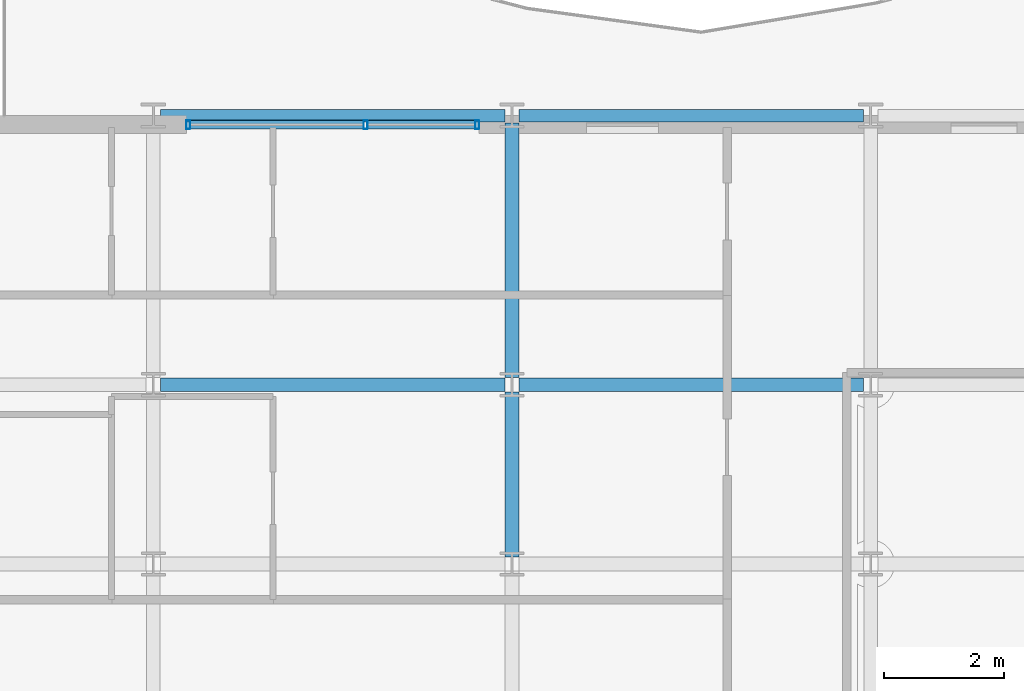
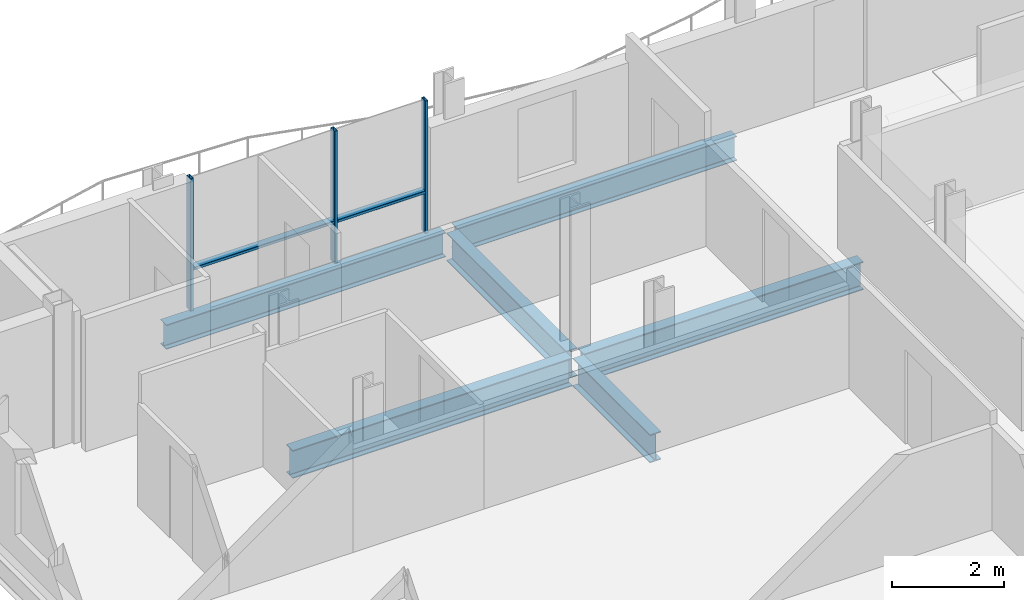
# One storey, part 9 of 40: 6 beams, 5 members, 1 element without a shape of its own.
"""IFC4 building model written with IfcOpenShell, lengths in metres."""

from ifc_helpers import new_model, si_unit, direction, frame, origin, origin_2d, place, context, subcontext, project, spatial, hollow_rectangle, i_section, extrude, material, layer, layer_set, material_profile, profile_set, type_object, element, aggregate, save


model = new_model("IFC4")

# Units and contexts
model_context = context("Model", 3, precision=1e-05, world=origin(), true_north=direction((0.0, 1.0)))
body_context = subcontext(model_context, "Body", "Model", "MODEL_VIEW")
ifc_project = project(units=[si_unit("LENGTHUNIT", "METRE"), si_unit("AREAUNIT", "SQUARE_METRE"), si_unit("VOLUMEUNIT", "CUBIC_METRE"), si_unit("PLANEANGLEUNIT", "RADIAN"), si_unit("MASSUNIT", "GRAM", prefix="KILO")], contexts=[model_context])

# Site, building, storey
site_placement = place(None, origin())
site = spatial("IfcSite", under=ifc_project, at=site_placement, CompositionType="ELEMENT")
building_placement = place(site_placement, origin())
building = spatial("IfcBuilding", under=site, at=building_placement, Name="Brevholm Reach", CompositionType="ELEMENT")
storey_placement = place(building_placement, frame((0.0, 0.0, 148.0)))
storey = spatial("IfcBuildingStorey", under=building, at=storey_placement, Name="L44", CompositionType="ELEMENT", Elevation=148.0)

# Beams
ifc_material_1 = material(Name="Structural Steel S355J2", Category="steel")
ifc_material_profile_1 = material_profile(ifc_material_1, i_section(OverallWidth=0.209228515625, OverallDepth=0.533203125, WebThickness=0.010009765625, FlangeThickness=0.015625, FilletRadius=0.0126953125, at=origin_2d()), Name="UKB 533x210x92")
ifc_profile_set_1 = profile_set([ifc_material_profile_1], Name="Structural Steel S355J2")
beam_type_1 = type_object("IfcBeamType", Name="BM-SP533", PredefinedType="SPANDREL", material=ifc_profile_set_1)
for number, where, z_axis, x_axis, name in (
    (1, (6.1201171875, 31.0, -0.486572265625), (1.0, 0.0, 0.0), (0.0, 1.0, 0.0), "L44 SP-02 Framing Beam"),
    (2, (12.1201171875, 31.0, -0.486572265625), (1.0, 0.0, 0.0), (0.0, 1.0, 0.0), "L44 SP-02 Framing Beam"),
):
    element("IfcBeam", number, at=place(storey_placement, frame(where, z_axis=z_axis, x_axis=x_axis)), inside=storey, type_object=beam_type_1, Name=name, PredefinedType="SPANDREL", context=body_context, shape_type="SweptSolid", body=[
        extrude(i_section(OverallWidth=0.209228515625, OverallDepth=0.533203125, WebThickness=0.010009765625, FlangeThickness=0.015625, FilletRadius=0.0126953125, at=origin_2d()), origin(), (0.0, 0.0, 1.0), 5.759765625),
    ])
ifc_material_2 = material(Name="Structural Steel S355J2", Category="steel")
ifc_material_profile_2 = material_profile(ifc_material_2, i_section(OverallWidth=0.22900390625, OverallDepth=0.6123046875, WebThickness=0.011962890625, FlangeThickness=0.01953125, FilletRadius=0.0126953125, at=origin_2d()), Name="UKB 610x229x125")
ifc_profile_set_2 = profile_set([ifc_material_profile_2], Name="Structural Steel S355J2")
beam_type_2 = type_object("IfcBeamType", Name="BM-SP610", PredefinedType="SPANDREL", material=ifc_profile_set_2)
for number, where, z_axis, x_axis, name in (
    (3, (6.1201171875, 26.5, -0.526123046875), (1.0, 0.0, 0.0), (0.0, 1.0, 0.0), "L44 SP-01 Framing Beam"),
    (4, (12.1201171875, 26.5, -0.526123046875), (1.0, 0.0, 0.0), (0.0, 1.0, 0.0), "L44 SP-01 Framing Beam"),
):
    element("IfcBeam", number, at=place(storey_placement, frame(where, z_axis=z_axis, x_axis=x_axis)), inside=storey, type_object=beam_type_2, Name=name, PredefinedType="SPANDREL", context=body_context, shape_type="SweptSolid", body=[
        extrude(i_section(OverallWidth=0.22900390625, OverallDepth=0.6123046875, WebThickness=0.011962890625, FlangeThickness=0.01953125, FilletRadius=0.0126953125, at=origin_2d()), origin(), (0.0, 0.0, 1.0), 5.759765625),
    ])
beam_1_placement = place(storey_placement, frame((12.0, 23.6201171875, -0.526123046875), z_axis=(0.0, 1.0, 0.0), x_axis=(-1.0, 0.0, 0.0)))
element("IfcBeam", 5, at=beam_1_placement, inside=storey, type_object=beam_type_2, Name="L44 SP-01 Framing Beam", PredefinedType="SPANDREL", context=body_context, shape_type="SweptSolid", body=[
    extrude(i_section(OverallWidth=0.22900390625, OverallDepth=0.6123046875, WebThickness=0.011962890625, FlangeThickness=0.01953125, FilletRadius=0.0126953125, at=origin_2d()), origin(), (0.0, 0.0, 1.0), 2.759765625),
])
beam_2_placement = place(storey_placement, frame((12.0, 26.6201171875, -0.526123046875), z_axis=(0.0, 1.0, 0.0), x_axis=(-1.0, 0.0, 0.0)))
element("IfcBeam", 6, at=beam_2_placement, inside=storey, type_object=beam_type_2, Name="L44 SP-01 Framing Beam", PredefinedType="SPANDREL", context=body_context, shape_type="SweptSolid", body=[
    extrude(i_section(OverallWidth=0.22900390625, OverallDepth=0.6123046875, WebThickness=0.011962890625, FlangeThickness=0.01953125, FilletRadius=0.0126953125, at=origin_2d()), origin(), (0.0, 0.0, 1.0), 4.259765625),
])

# Curtain wall, members
ifc_material_3 = material(Name="Dark Anodised Aluminium 6063-T6 and Solar-Control Glass", Category="aluminium")
ifc_layer = layer(ifc_material_3, 0.14990234375)
ifc_layer_set = layer_set([ifc_layer], Name="Dark Anodised Aluminium 6063-T6 and Solar-Control Glass")
curtain_wall_type = type_object("IfcCurtainWallType", Name="CW-01", PredefinedType="NOTDEFINED", material=ifc_layer_set)
curtain_wall_placement = place(storey_placement, origin())
curtain_wall = element("IfcCurtainWall", 7, at=curtain_wall_placement, inside=storey, type_object=curtain_wall_type, Name="L44 Curtain Wall CW-01", PredefinedType="NOTDEFINED")
ifc_material_4 = material(Name="Dark Anodised Aluminium 6063-T6", Category="aluminium")
ifc_material_profile_3 = material_profile(ifc_material_4, hollow_rectangle(XDim=0.06494140625, YDim=0.14990234375, WallThickness=0.0048828125, InnerFilletRadius=0.0048828125, OuterFilletRadius=0.010009765625, at=origin_2d()), Name="RHS 150x65x5")
ifc_profile_set_3 = profile_set([ifc_material_profile_3], Name="Dark Anodised Aluminium 6063-T6")
member_type_1 = type_object("IfcMemberType", Name="CWM-150", PredefinedType="MULLION", material=ifc_profile_set_3)
member_1_placement = place(storey_placement, frame((6.58251953125, 30.85009765625, 0.0), z_axis=(0.0, 0.0, 1.0), x_axis=(1.0, 0.0, 0.0)))
member_1 = element("IfcMember", 8, at=member_1_placement, type_object=member_type_1, Name="CM-150 Mullion 1", PredefinedType="MULLION", context=body_context, shape_type="SweptSolid", body=[
    extrude(hollow_rectangle(XDim=0.06494140625, YDim=0.14990234375, WallThickness=0.0048828125, InnerFilletRadius=0.0048828125, OuterFilletRadius=0.010009765625, at=origin_2d()), origin(), (0.0, 0.0, 1.0), 2.8798828125),
])
member_2_placement = place(storey_placement, frame((9.550048828125, 30.85009765625, 0.0), z_axis=(0.0, 0.0, 1.0), x_axis=(1.0, 0.0, 0.0)))
member_2 = element("IfcMember", 9, at=member_2_placement, type_object=member_type_1, Name="CM-150 Mullion 2", PredefinedType="MULLION", context=body_context, shape_type="SweptSolid", body=[
    extrude(hollow_rectangle(XDim=0.06494140625, YDim=0.14990234375, WallThickness=0.0048828125, InnerFilletRadius=0.0048828125, OuterFilletRadius=0.010009765625, at=origin_2d()), origin(), (0.0, 0.0, 1.0), 2.8798828125),
])
member_3_placement = place(storey_placement, frame((11.41748046875, 30.85009765625, 0.0), z_axis=(0.0, 0.0, 1.0), x_axis=(1.0, 0.0, 0.0)))
member_3 = element("IfcMember", 10, at=member_3_placement, type_object=member_type_1, Name="CM-150 Mullion 3", PredefinedType="MULLION", context=body_context, shape_type="SweptSolid", body=[
    extrude(hollow_rectangle(XDim=0.06494140625, YDim=0.14990234375, WallThickness=0.0048828125, InnerFilletRadius=0.0048828125, OuterFilletRadius=0.010009765625, at=origin_2d()), origin(), (0.0, 0.0, 1.0), 2.8798828125),
])
ifc_material_5 = material(Name="Dark Anodised Aluminium 6063-T6", Category="aluminium")
ifc_material_profile_4 = material_profile(ifc_material_5, hollow_rectangle(XDim=0.06494140625, YDim=0.14990234375, WallThickness=0.0048828125, InnerFilletRadius=0.0048828125, OuterFilletRadius=0.010009765625, at=origin_2d()), Name="RHS 150x65x5")
ifc_profile_set_4 = profile_set([ifc_material_profile_4], Name="Dark Anodised Aluminium 6063-T6")
member_type_2 = type_object("IfcMemberType", Name="CWT-150", PredefinedType="NOTDEFINED", material=ifc_profile_set_4)
member_4_placement = place(storey_placement, frame((6.614990234375, 30.85009765625, 0.89990234375), z_axis=(1.0, 0.0, 0.0), x_axis=(0.0, 0.0, 1.0)))
member_4 = element("IfcMember", 11, at=member_4_placement, type_object=member_type_2, Name="CT-150 Transom 1.1", ObjectType="TRANSOM", PredefinedType="USERDEFINED", context=body_context, shape_type="SweptSolid", body=[
    extrude(hollow_rectangle(XDim=0.06494140625, YDim=0.14990234375, WallThickness=0.0048828125, InnerFilletRadius=0.0048828125, OuterFilletRadius=0.010009765625, at=origin_2d()), origin(), (0.0, 0.0, 1.0), 2.902587890625),
])
member_5_placement = place(storey_placement, frame((9.58251953125, 30.85009765625, 0.89990234375), z_axis=(1.0, 0.0, 0.0), x_axis=(0.0, 0.0, 1.0)))
member_5 = element("IfcMember", 12, at=member_5_placement, type_object=member_type_2, Name="CT-150 Transom 2.1", ObjectType="TRANSOM", PredefinedType="USERDEFINED", context=body_context, shape_type="SweptSolid", body=[
    extrude(hollow_rectangle(XDim=0.06494140625, YDim=0.14990234375, WallThickness=0.0048828125, InnerFilletRadius=0.0048828125, OuterFilletRadius=0.010009765625, at=origin_2d()), origin(), (0.0, 0.0, 1.0), 1.802490234375),
])
aggregate(curtain_wall, [member_1, member_2, member_3, member_4, member_5])

save(model, "model.ifc")
